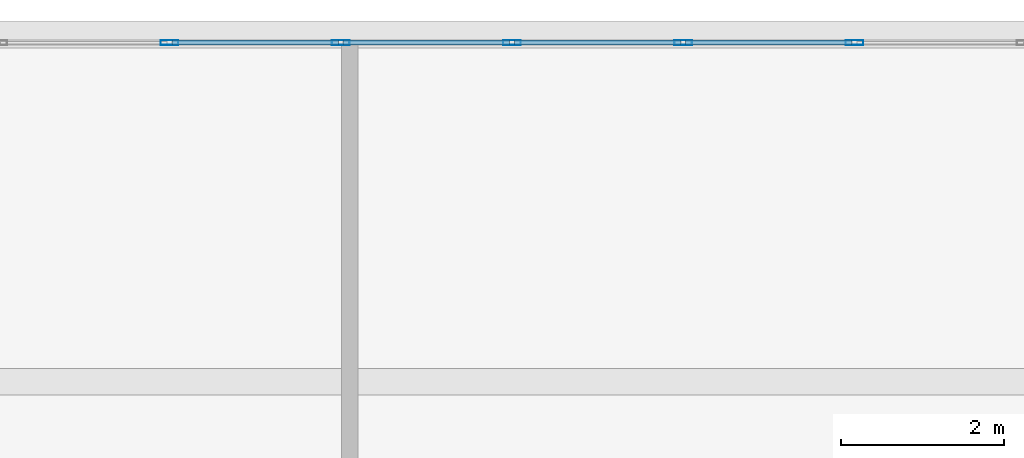
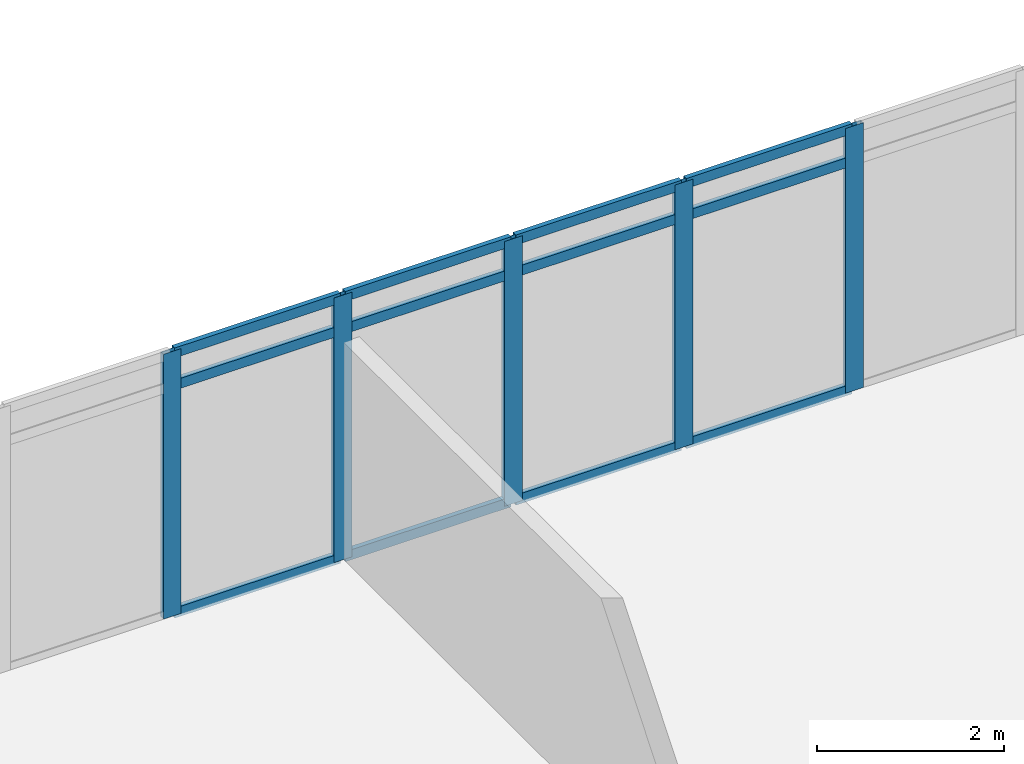
# One storey, part 17 of 28: 17 members, 1 element without a shape of its own.
"""IFC4 building model written with IfcOpenShell, lengths in metres."""

from ifc_helpers import new_model, si_unit, direction, frame, origin, origin_2d, place, context, subcontext, project, spatial, hollow_rectangle, extrude, material, material_profile, profile_set, type_object, element, aggregate, save


model = new_model("IFC4")

# Units and contexts
model_context = context("Model", 3, precision=1e-05, world=origin(), true_north=direction((0.0, 1.0)))
body_context = subcontext(model_context, "Body", "Model", "MODEL_VIEW")
ifc_project = project(units=[si_unit("LENGTHUNIT", "METRE"), si_unit("AREAUNIT", "SQUARE_METRE"), si_unit("VOLUMEUNIT", "CUBIC_METRE"), si_unit("PLANEANGLEUNIT", "RADIAN"), si_unit("MASSUNIT", "GRAM", prefix="KILO")], contexts=[model_context])

# Site, building, storey
site_placement = place(None, origin())
site = spatial("IfcSite", under=ifc_project, at=site_placement, CompositionType="ELEMENT")
building_placement = place(site_placement, origin())
building = spatial("IfcBuilding", under=site, at=building_placement, Name="Ostrander Bayou Hotel Tower", CompositionType="ELEMENT")
storey_placement = place(building_placement, frame((0.0, 0.0, 73.0)))
storey = spatial("IfcBuildingStorey", under=building, at=storey_placement, Name="L18", CompositionType="ELEMENT", Elevation=73.0)

# Curtain wall, members
ifc_material_1 = material(Name="Aluminium and clear glass", Category="aluminium")
curtain_wall_type = type_object("IfcCurtainWallType", Name="CW-BAR glazed wall", PredefinedType="NOTDEFINED", material=ifc_material_1)
curtain_wall_placement = place(storey_placement, origin())
curtain_wall = element("IfcCurtainWall", 1, at=curtain_wall_placement, inside=storey, type_object=curtain_wall_type, Name="CW-BAR L18:SB1N:T", PredefinedType="NOTDEFINED")
ifc_material_2 = material(Name="Aluminium", Category="aluminium")
ifc_material_profile_1 = material_profile(ifc_material_2, hollow_rectangle(XDim=0.06005859375, YDim=0.219970703125, WallThickness=0.00390625, at=origin_2d()))
ifc_profile_set_1 = profile_set([ifc_material_profile_1], Name="Aluminium")
member_type_1 = type_object("IfcMemberType", Name="CW-BR mullion 60 x 220 mm", PredefinedType="MULLION", material=ifc_profile_set_1)
member_1_placement = place(storey_placement, frame((0.0, 30.88623046875, 0.0), z_axis=(0.0, 0.0, 1.0), x_axis=(0.0, 1.0, 0.0)))
member_1 = element("IfcMember", 2, at=member_1_placement, type_object=member_type_1, Name="CW-BAR mullion 8", PredefinedType="MULLION", context=body_context, shape_type="SweptSolid", body=[
    extrude(hollow_rectangle(XDim=0.06005859375, YDim=0.219970703125, WallThickness=0.00390625, at=origin_2d()), origin(), (0.0, 0.0, 1.0), 3.449951171875),
])
member_2_placement = place(storey_placement, frame((2.101806640625, 30.88623046875, 0.0), z_axis=(0.0, 0.0, 1.0), x_axis=(0.0, 1.0, 0.0)))
member_2 = element("IfcMember", 3, at=member_2_placement, type_object=member_type_1, Name="CW-BAR mullion 9", PredefinedType="MULLION", context=body_context, shape_type="SweptSolid", body=[
    extrude(hollow_rectangle(XDim=0.06005859375, YDim=0.219970703125, WallThickness=0.00390625, at=origin_2d()), origin(), (0.0, 0.0, 1.0), 3.449951171875),
])
member_3_placement = place(storey_placement, frame((4.203369140625, 30.88623046875, 0.0), z_axis=(0.0, 0.0, 1.0), x_axis=(0.0, 1.0, 0.0)))
member_3 = element("IfcMember", 4, at=member_3_placement, type_object=member_type_1, Name="CW-BAR mullion 10", PredefinedType="MULLION", context=body_context, shape_type="SweptSolid", body=[
    extrude(hollow_rectangle(XDim=0.06005859375, YDim=0.219970703125, WallThickness=0.00390625, at=origin_2d()), origin(), (0.0, 0.0, 1.0), 3.449951171875),
])
member_4_placement = place(storey_placement, frame((6.30517578125, 30.88623046875, 0.0), z_axis=(0.0, 0.0, 1.0), x_axis=(0.0, 1.0, 0.0)))
member_4 = element("IfcMember", 5, at=member_4_placement, type_object=member_type_1, Name="CW-BAR mullion 11", PredefinedType="MULLION", context=body_context, shape_type="SweptSolid", body=[
    extrude(hollow_rectangle(XDim=0.06005859375, YDim=0.219970703125, WallThickness=0.00390625, at=origin_2d()), origin(), (0.0, 0.0, 1.0), 3.449951171875),
])
member_5_placement = place(storey_placement, frame((8.406982421875, 30.88623046875, 0.0), z_axis=(0.0, 0.0, 1.0), x_axis=(0.0, 1.0, 0.0)))
member_5 = element("IfcMember", 6, at=member_5_placement, type_object=member_type_1, Name="CW-BAR mullion 12", PredefinedType="MULLION", context=body_context, shape_type="SweptSolid", body=[
    extrude(hollow_rectangle(XDim=0.06005859375, YDim=0.219970703125, WallThickness=0.00390625, at=origin_2d()), origin(), (0.0, 0.0, 1.0), 3.449951171875),
])
ifc_material_3 = material(Name="Aluminium", Category="aluminium")
ifc_material_profile_2 = material_profile(ifc_material_3, hollow_rectangle(XDim=0.06005859375, YDim=0.1298828125, WallThickness=0.00390625, at=origin_2d()))
ifc_profile_set_2 = profile_set([ifc_material_profile_2], Name="Aluminium")
member_type_2 = type_object("IfcMemberType", Name="CW-BR transom 60 x 130 mm", PredefinedType="USERDEFINED", material=ifc_profile_set_2)
member_6_placement = place(storey_placement, frame((0.030029296875, 30.88623046875, 0.030029296875), z_axis=(1.0, 0.0, 0.0), x_axis=(0.0, 1.0, 0.0)))
member_6 = element("IfcMember", 7, at=member_6_placement, type_object=member_type_2, Name="CW-BAR transom 8.1", ObjectType="TRANSOM", PredefinedType="USERDEFINED", context=body_context, shape_type="SweptSolid", body=[
    extrude(hollow_rectangle(XDim=0.06005859375, YDim=0.1298828125, WallThickness=0.00390625, at=origin_2d()), origin(), (0.0, 0.0, 1.0), 2.041748046875),
])
member_7_placement = place(storey_placement, frame((0.030029296875, 30.88623046875, 3.0), z_axis=(1.0, 0.0, 0.0), x_axis=(0.0, 1.0, 0.0)))
member_7 = element("IfcMember", 8, at=member_7_placement, type_object=member_type_2, Name="CW-BAR transom 8.2", ObjectType="TRANSOM", PredefinedType="USERDEFINED", context=body_context, shape_type="SweptSolid", body=[
    extrude(hollow_rectangle(XDim=0.06005859375, YDim=0.1298828125, WallThickness=0.00390625, at=origin_2d()), origin(), (0.0, 0.0, 1.0), 2.041748046875),
])
member_8_placement = place(storey_placement, frame((0.030029296875, 30.88623046875, 3.419921875), z_axis=(1.0, 0.0, 0.0), x_axis=(0.0, 1.0, 0.0)))
member_8 = element("IfcMember", 9, at=member_8_placement, type_object=member_type_2, Name="CW-BAR transom 8.3", ObjectType="TRANSOM", PredefinedType="USERDEFINED", context=body_context, shape_type="SweptSolid", body=[
    extrude(hollow_rectangle(XDim=0.06005859375, YDim=0.1298828125, WallThickness=0.00390625, at=origin_2d()), origin(), (0.0, 0.0, 1.0), 2.041748046875),
])
member_9_placement = place(storey_placement, frame((2.1318359375, 30.88623046875, 0.030029296875), z_axis=(1.0, 0.0, 0.0), x_axis=(0.0, 1.0, 0.0)))
member_9 = element("IfcMember", 10, at=member_9_placement, type_object=member_type_2, Name="CW-BAR transom 9.1", ObjectType="TRANSOM", PredefinedType="USERDEFINED", context=body_context, shape_type="SweptSolid", body=[
    extrude(hollow_rectangle(XDim=0.06005859375, YDim=0.1298828125, WallThickness=0.00390625, at=origin_2d()), origin(), (0.0, 0.0, 1.0), 2.041748046875),
])
member_10_placement = place(storey_placement, frame((2.1318359375, 30.88623046875, 3.0), z_axis=(1.0, 0.0, 0.0), x_axis=(0.0, 1.0, 0.0)))
member_10 = element("IfcMember", 11, at=member_10_placement, type_object=member_type_2, Name="CW-BAR transom 9.2", ObjectType="TRANSOM", PredefinedType="USERDEFINED", context=body_context, shape_type="SweptSolid", body=[
    extrude(hollow_rectangle(XDim=0.06005859375, YDim=0.1298828125, WallThickness=0.00390625, at=origin_2d()), origin(), (0.0, 0.0, 1.0), 2.041748046875),
])
member_11_placement = place(storey_placement, frame((2.1318359375, 30.88623046875, 3.419921875), z_axis=(1.0, 0.0, 0.0), x_axis=(0.0, 1.0, 0.0)))
member_11 = element("IfcMember", 12, at=member_11_placement, type_object=member_type_2, Name="CW-BAR transom 9.3", ObjectType="TRANSOM", PredefinedType="USERDEFINED", context=body_context, shape_type="SweptSolid", body=[
    extrude(hollow_rectangle(XDim=0.06005859375, YDim=0.1298828125, WallThickness=0.00390625, at=origin_2d()), origin(), (0.0, 0.0, 1.0), 2.041748046875),
])
member_12_placement = place(storey_placement, frame((4.2333984375, 30.88623046875, 0.030029296875), z_axis=(1.0, 0.0, 0.0), x_axis=(0.0, 1.0, 0.0)))
member_12 = element("IfcMember", 13, at=member_12_placement, type_object=member_type_2, Name="CW-BAR transom 10.1", ObjectType="TRANSOM", PredefinedType="USERDEFINED", context=body_context, shape_type="SweptSolid", body=[
    extrude(hollow_rectangle(XDim=0.06005859375, YDim=0.1298828125, WallThickness=0.00390625, at=origin_2d()), origin(), (0.0, 0.0, 1.0), 2.041748046875),
])
member_13_placement = place(storey_placement, frame((4.2333984375, 30.88623046875, 3.0), z_axis=(1.0, 0.0, 0.0), x_axis=(0.0, 1.0, 0.0)))
member_13 = element("IfcMember", 14, at=member_13_placement, type_object=member_type_2, Name="CW-BAR transom 10.2", ObjectType="TRANSOM", PredefinedType="USERDEFINED", context=body_context, shape_type="SweptSolid", body=[
    extrude(hollow_rectangle(XDim=0.06005859375, YDim=0.1298828125, WallThickness=0.00390625, at=origin_2d()), origin(), (0.0, 0.0, 1.0), 2.041748046875),
])
member_14_placement = place(storey_placement, frame((4.2333984375, 30.88623046875, 3.419921875), z_axis=(1.0, 0.0, 0.0), x_axis=(0.0, 1.0, 0.0)))
member_14 = element("IfcMember", 15, at=member_14_placement, type_object=member_type_2, Name="CW-BAR transom 10.3", ObjectType="TRANSOM", PredefinedType="USERDEFINED", context=body_context, shape_type="SweptSolid", body=[
    extrude(hollow_rectangle(XDim=0.06005859375, YDim=0.1298828125, WallThickness=0.00390625, at=origin_2d()), origin(), (0.0, 0.0, 1.0), 2.041748046875),
])
member_15_placement = place(storey_placement, frame((6.335205078125, 30.88623046875, 0.030029296875), z_axis=(1.0, 0.0, 0.0), x_axis=(0.0, 1.0, 0.0)))
member_15 = element("IfcMember", 16, at=member_15_placement, type_object=member_type_2, Name="CW-BAR transom 11.1", ObjectType="TRANSOM", PredefinedType="USERDEFINED", context=body_context, shape_type="SweptSolid", body=[
    extrude(hollow_rectangle(XDim=0.06005859375, YDim=0.1298828125, WallThickness=0.00390625, at=origin_2d()), origin(), (0.0, 0.0, 1.0), 2.041748046875),
])
member_16_placement = place(storey_placement, frame((6.335205078125, 30.88623046875, 3.0), z_axis=(1.0, 0.0, 0.0), x_axis=(0.0, 1.0, 0.0)))
member_16 = element("IfcMember", 17, at=member_16_placement, type_object=member_type_2, Name="CW-BAR transom 11.2", ObjectType="TRANSOM", PredefinedType="USERDEFINED", context=body_context, shape_type="SweptSolid", body=[
    extrude(hollow_rectangle(XDim=0.06005859375, YDim=0.1298828125, WallThickness=0.00390625, at=origin_2d()), origin(), (0.0, 0.0, 1.0), 2.041748046875),
])
member_17_placement = place(storey_placement, frame((6.335205078125, 30.88623046875, 3.419921875), z_axis=(1.0, 0.0, 0.0), x_axis=(0.0, 1.0, 0.0)))
member_17 = element("IfcMember", 18, at=member_17_placement, type_object=member_type_2, Name="CW-BAR transom 11.3", ObjectType="TRANSOM", PredefinedType="USERDEFINED", context=body_context, shape_type="SweptSolid", body=[
    extrude(hollow_rectangle(XDim=0.06005859375, YDim=0.1298828125, WallThickness=0.00390625, at=origin_2d()), origin(), (0.0, 0.0, 1.0), 2.041748046875),
])
aggregate(curtain_wall, [member_1, member_2, member_3, member_4, member_5, member_6, member_7, member_8, member_9, member_10, member_11, member_12, member_13, member_14, member_15, member_16, member_17])

save(model, "model.ifc")
